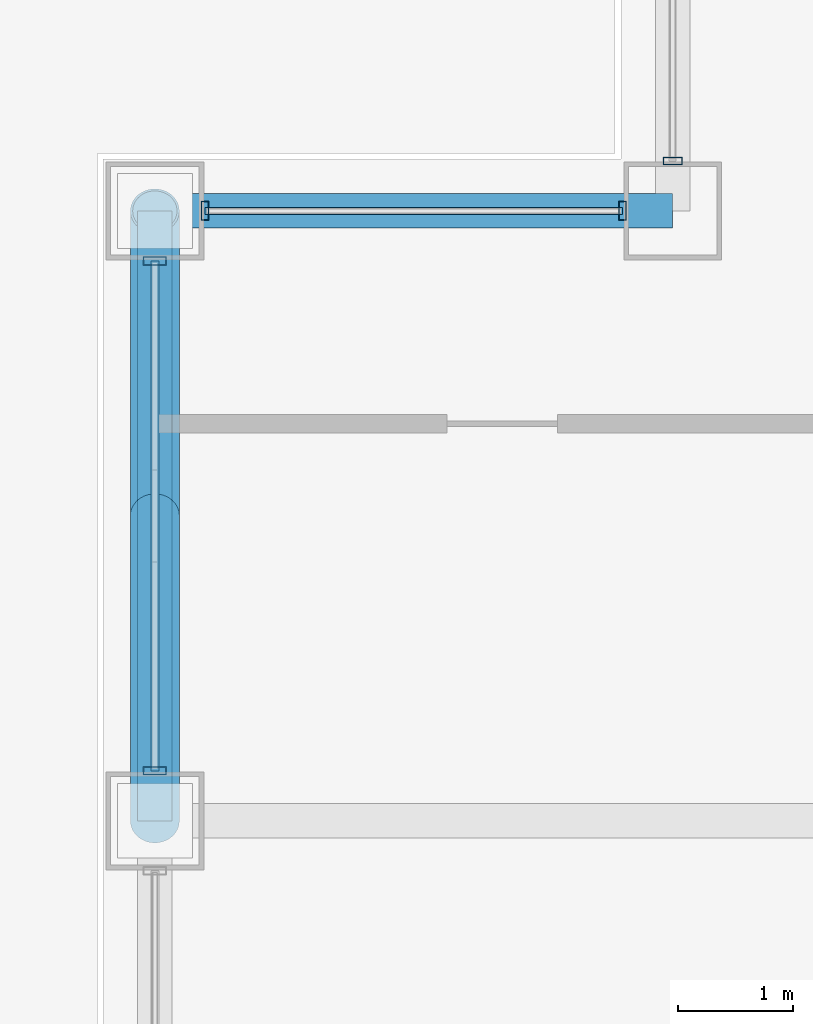
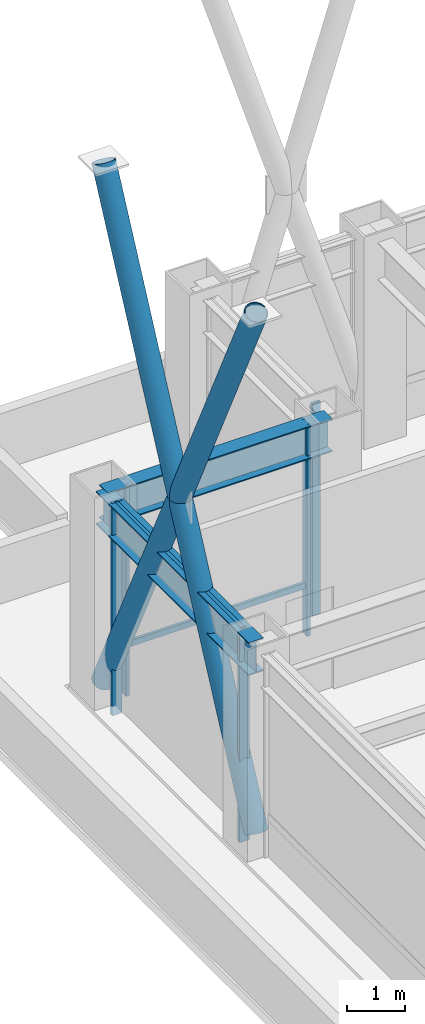
# One storey, part 18 of 32: 10 members, 2 beams, 3 elements without a shape of their own.
"""IFC4 building model written with IfcOpenShell, lengths in metres."""

from ifc_helpers import new_model, si_unit, direction, frame, origin, origin_2d, place, context, subcontext, project, spatial, hollow_rectangle, hollow_circle, i_section, extrude, material, layer, layer_set, material_profile, profile_set, type_object, element, aggregate, save


model = new_model("IFC4")

# Units and contexts
model_context = context("Model", 3, precision=1e-05, world=origin(), true_north=direction((0.0, 1.0)))
body_context = subcontext(model_context, "Body", "Model", "MODEL_VIEW")
ifc_project = project(units=[si_unit("LENGTHUNIT", "METRE"), si_unit("AREAUNIT", "SQUARE_METRE"), si_unit("VOLUMEUNIT", "CUBIC_METRE"), si_unit("PLANEANGLEUNIT", "RADIAN"), si_unit("MASSUNIT", "GRAM", prefix="KILO")], contexts=[model_context])

# Site, building, storey
site_placement = place(None, origin())
site = spatial("IfcSite", under=ifc_project, at=site_placement, CompositionType="ELEMENT")
building_placement = place(site_placement, origin())
building = spatial("IfcBuilding", under=site, at=building_placement, Name="Brelmoor Portico Tower", CompositionType="ELEMENT")
storey_placement = place(building_placement, frame((0.0, 0.0, 87.300048828125)))
storey = spatial("IfcBuildingStorey", under=building, at=storey_placement, Name="L22", CompositionType="ELEMENT", Elevation=87.300048828125)

# Beams
ifc_material_1 = material(Name="Steel Q355B", Category="steel")
ifc_material_profile_1 = material_profile(ifc_material_1, i_section(OverallWidth=0.300048828125, OverallDepth=0.699951171875, WebThickness=0.012939453125, FlangeThickness=0.02392578125, at=origin_2d()), Name="HN 700x300x13x24")
ifc_profile_set_1 = profile_set([ifc_material_profile_1], Name="Steel Q355B")
beam_type = type_object("IfcBeamType", Name="BM-SP-700", PredefinedType="SPANDREL", material=ifc_profile_set_1)
beam_1_placement = place(storey_placement, frame((-22.550048828125, 15.050048828125, 3.949951171875), z_axis=(1.0, 0.0, 0.0), x_axis=(0.0, 1.0, 0.0)))
element("IfcBeam", 1, at=beam_1_placement, inside=storey, type_object=beam_type, Name="L22 Perimeter Spandrel Beam SP-08", PredefinedType="SPANDREL", context=body_context, shape_type="SweptSolid", body=[
    extrude(i_section(OverallWidth=0.300048828125, OverallDepth=0.699951171875, WebThickness=0.012939453125, FlangeThickness=0.02392578125, at=origin_2d()), origin(), (0.0, 0.0, 1.0), 4.5),
])
beam_2_placement = place(storey_placement, frame((-22.550048828125, 9.75, 3.949951171875), z_axis=(0.0, 1.0, 0.0), x_axis=(-1.0, 0.0, 0.0)))
element("IfcBeam", 2, at=beam_2_placement, inside=storey, type_object=beam_type, Name="L22 Perimeter Spandrel Beam SP-17", PredefinedType="SPANDREL", context=body_context, shape_type="SweptSolid", body=[
    extrude(i_section(OverallWidth=0.300048828125, OverallDepth=0.699951171875, WebThickness=0.012939453125, FlangeThickness=0.02392578125, at=origin_2d()), origin(), (0.0, 0.0, 1.0), 5.300048828125),
])

# Members
ifc_material_profile_2 = material_profile(ifc_material_1, hollow_circle(Radius=0.212890625, WallThickness=0.02001953125, at=origin_2d()), Name="CHS 426x20")
ifc_profile_set_2 = profile_set([ifc_material_profile_2], Name="Steel Q355B")
member_type_1 = type_object("IfcMemberType", Name="MB-BELT-DIAG1", PredefinedType="BRACE", material=ifc_profile_set_2)
member_1_placement = place(storey_placement, frame((-22.550048828125, 9.75, 0.25), z_axis=(0.0, 0.434065090661, 0.900881511116), x_axis=(-1.0, 0.0, 0.0)))
element("IfcMember", 3, at=member_1_placement, inside=storey, type_object=member_type_1, Name="L22 Continuous Mega-X Brace 048A", PredefinedType="BRACE", context=body_context, shape_type="SweptSolid", body=[
    extrude(hollow_circle(Radius=0.212890625, WallThickness=0.02001953125, at=origin_2d()), origin(), (0.0, 0.0, 1.0), 12.210205078125),
])
member_2_placement = place(storey_placement, frame((-22.550048828125, 15.050048828125, 0.25), z_axis=(0.0, -0.434081317903, 0.900873692283), x_axis=(1.0, 0.0, 0.0)))
element("IfcMember", 4, at=member_2_placement, inside=storey, type_object=member_type_1, Name="L22 Split Mega-X Brace 048B1", PredefinedType="BRACE", context=body_context, shape_type="SweptSolid", body=[
    extrude(hollow_circle(Radius=0.212890625, WallThickness=0.02001953125, at=origin_2d()), origin(), (0.0, 0.0, 1.0), 6.105224609375),
])
member_3_placement = place(storey_placement, frame((-22.550048828125, 12.39990234375, 5.75), z_axis=(0.0, -0.434048862995, 0.900889329792), x_axis=(1.0, 0.0, 0.0)))
element("IfcMember", 5, at=member_3_placement, inside=storey, type_object=member_type_1, Name="L22 Split Mega-X Brace 048B2", PredefinedType="BRACE", context=body_context, shape_type="SweptSolid", body=[
    extrude(hollow_circle(Radius=0.212890625, WallThickness=0.02001953125, at=origin_2d()), origin(), (0.0, 0.0, 1.0), 6.10498046875),
])

# Curtain wall, members
ifc_material_2 = material(Name="Anodised Aluminium Alloy 6063-T6", Category="aluminium")
ifc_layer_1 = layer(ifc_material_2, 0.179931640625)
ifc_layer_set_1 = layer_set([ifc_layer_1], Name="Anodised Aluminium Alloy 6063-T6")
curtain_wall_type_1 = type_object("IfcCurtainWallType", Name="CW-NOTCH-CHAMFER", PredefinedType="NOTDEFINED", material=ifc_layer_set_1)
curtain_wall_1_placement = place(storey_placement, origin())
curtain_wall_1 = element("IfcCurtainWall", 6, at=curtain_wall_1_placement, inside=storey, type_object=curtain_wall_type_1, Name="L22 Curtain Wall CWN-L22-NWH", PredefinedType="NOTDEFINED")
ifc_material_profile_3 = material_profile(ifc_material_2, hollow_rectangle(XDim=0.06494140625, YDim=0.1650390625, WallThickness=0.00390625, at=origin_2d()), Name="ALU MULLION 65x165")
ifc_profile_set_3 = profile_set([ifc_material_profile_3], Name="Anodised Aluminium Alloy 6063-T6")
member_type_2 = type_object("IfcMemberType", Name="MB-CW-MULL-165", PredefinedType="MULLION", material=ifc_profile_set_3)
member_4_placement = place(storey_placement, frame((-22.114990234375, 15.050048828125, -0.199951171875), z_axis=(0.0, 0.0, 1.0), x_axis=(1.0, 0.0, 0.0)))
member_4 = element("IfcMember", 7, at=member_4_placement, type_object=member_type_2, Name="CWN-L22-NWH Mullion 00", PredefinedType="MULLION", context=body_context, shape_type="SweptSolid", body=[
    extrude(hollow_rectangle(XDim=0.06494140625, YDim=0.1650390625, WallThickness=0.00390625, at=origin_2d()), origin(), (0.0, 0.0, 1.0), 4.5),
])
member_5_placement = place(storey_placement, frame((-18.485107421875, 15.050048828125, -0.199951171875), z_axis=(0.0, 0.0, 1.0), x_axis=(1.0, 0.0, 0.0)))
member_5 = element("IfcMember", 8, at=member_5_placement, type_object=member_type_2, Name="CWN-L22-NWH Mullion 01", PredefinedType="MULLION", context=body_context, shape_type="SweptSolid", body=[
    extrude(hollow_rectangle(XDim=0.06494140625, YDim=0.1650390625, WallThickness=0.00390625, at=origin_2d()), origin(), (0.0, 0.0, 1.0), 4.5),
])

# Curtain wall, member
curtain_wall_2_placement = place(storey_placement, origin())
curtain_wall_2 = element("IfcCurtainWall", 9, at=curtain_wall_2_placement, inside=storey, type_object=curtain_wall_type_1, Name="L22 Curtain Wall CWN-L22-NWV", PredefinedType="NOTDEFINED")
member_6_placement = place(storey_placement, frame((-18.050048828125, 15.485107421875, -0.199951171875), z_axis=(0.0, 0.0, 1.0), x_axis=(0.0, 1.0, 0.0)))
member_6 = element("IfcMember", 10, at=member_6_placement, type_object=member_type_2, Name="CWN-L22-NWV Mullion 00", PredefinedType="MULLION", context=body_context, shape_type="SweptSolid", body=[
    extrude(hollow_rectangle(XDim=0.06494140625, YDim=0.1650390625, WallThickness=0.00390625, at=origin_2d()), origin(), (0.0, 0.0, 1.0), 4.5),
])
aggregate(curtain_wall_2, [member_6])

# Curtain wall, members
ifc_layer_2 = layer(ifc_material_2, 0.179931640625)
ifc_layer_set_2 = layer_set([ifc_layer_2], Name="Anodised Aluminium Alloy 6063-T6")
curtain_wall_type_2 = type_object("IfcCurtainWallType", Name="CW-SKYLOBBY-XB", PredefinedType="NOTDEFINED", material=ifc_layer_set_2)
curtain_wall_3_placement = place(storey_placement, origin())
curtain_wall_3 = element("IfcCurtainWall", 11, at=curtain_wall_3_placement, inside=storey, type_object=curtain_wall_type_2, Name="L22 Curtain Wall CW-L22-03-3", PredefinedType="NOTDEFINED")
ifc_material_profile_4 = material_profile(ifc_material_2, hollow_rectangle(XDim=0.070068359375, YDim=0.199951171875, WallThickness=0.00439453125, at=origin_2d()), Name="ALU MULLION 70x200")
ifc_profile_set_4 = profile_set([ifc_material_profile_4], Name="Anodised Aluminium Alloy 6063-T6")
member_type_3 = type_object("IfcMemberType", Name="MB-CW-MULL-200", PredefinedType="MULLION", material=ifc_profile_set_4)
member_7_placement = place(storey_placement, frame((-22.550048828125, 10.18505859375, -0.199951171875), z_axis=(0.0, 0.0, 1.0), x_axis=(0.0, 1.0, 0.0)))
member_7 = element("IfcMember", 12, at=member_7_placement, type_object=member_type_3, Name="CW-L22-03-3 Mullion 00", PredefinedType="MULLION", context=body_context, shape_type="SweptSolid", body=[
    extrude(hollow_rectangle(XDim=0.070068359375, YDim=0.199951171875, WallThickness=0.00439453125, at=origin_2d()), origin(), (0.0, 0.0, 1.0), 4.5),
])
member_8_placement = place(storey_placement, frame((-22.550048828125, 14.614990234375, -0.199951171875), z_axis=(0.0, 0.0, 1.0), x_axis=(0.0, 1.0, 0.0)))
member_8 = element("IfcMember", 13, at=member_8_placement, type_object=member_type_3, Name="CW-L22-03-3 Mullion 01", PredefinedType="MULLION", context=body_context, shape_type="SweptSolid", body=[
    extrude(hollow_rectangle(XDim=0.070068359375, YDim=0.199951171875, WallThickness=0.00439453125, at=origin_2d()), origin(), (0.0, 0.0, 1.0), 4.5),
])

# Member
ifc_material_profile_5 = material_profile(ifc_material_2, hollow_rectangle(XDim=0.06005859375, YDim=0.125, WallThickness=0.00341796875, at=origin_2d()), Name="ALU TRANSOM 60x125")
ifc_profile_set_5 = profile_set([ifc_material_profile_5], Name="Anodised Aluminium Alloy 6063-T6")
member_type_4 = type_object("IfcMemberType", Name="MB-CW-TRAN-125", PredefinedType="USERDEFINED", material=ifc_profile_set_5)
member_9_placement = place(storey_placement, frame((-22.114990234375, 15.050048828125, 0.849853515625), z_axis=(1.0, 0.0, 0.0), x_axis=(0.0, 1.0, 0.0)))
member_9 = element("IfcMember", 14, at=member_9_placement, type_object=member_type_4, Name="CWN-L22-NWH Transom 1-00", ObjectType="TRANSOM", PredefinedType="USERDEFINED", context=body_context, shape_type="SweptSolid", body=[
    extrude(hollow_rectangle(XDim=0.06005859375, YDim=0.125, WallThickness=0.00341796875, at=origin_2d()), origin(), (0.0, 0.0, 1.0), 3.6298828125),
])

aggregate(curtain_wall_1, [member_4, member_5, member_9])

ifc_material_profile_6 = material_profile(ifc_material_2, hollow_rectangle(XDim=0.070068359375, YDim=0.159912109375, WallThickness=0.00390625, at=origin_2d()), Name="ALU TRANSOM 70x160")
ifc_profile_set_6 = profile_set([ifc_material_profile_6], Name="Anodised Aluminium Alloy 6063-T6")
member_type_5 = type_object("IfcMemberType", Name="MB-CW-TRAN-160", PredefinedType="USERDEFINED", material=ifc_profile_set_6)
member_10_placement = place(storey_placement, frame((-22.550048828125, 10.18505859375, 4.219970703125), z_axis=(0.0, 1.0, 0.0), x_axis=(-1.0, 0.0, 0.0)))
member_10 = element("IfcMember", 15, at=member_10_placement, type_object=member_type_5, Name="CW-L22-03-3 Transom 1-00", ObjectType="TRANSOM", PredefinedType="USERDEFINED", context=body_context, shape_type="SweptSolid", body=[
    extrude(hollow_rectangle(XDim=0.070068359375, YDim=0.159912109375, WallThickness=0.00390625, at=origin_2d()), origin(), (0.0, 0.0, 1.0), 4.429931640625),
])

aggregate(curtain_wall_3, [member_7, member_8, member_10])

save(model, "model.ifc")
